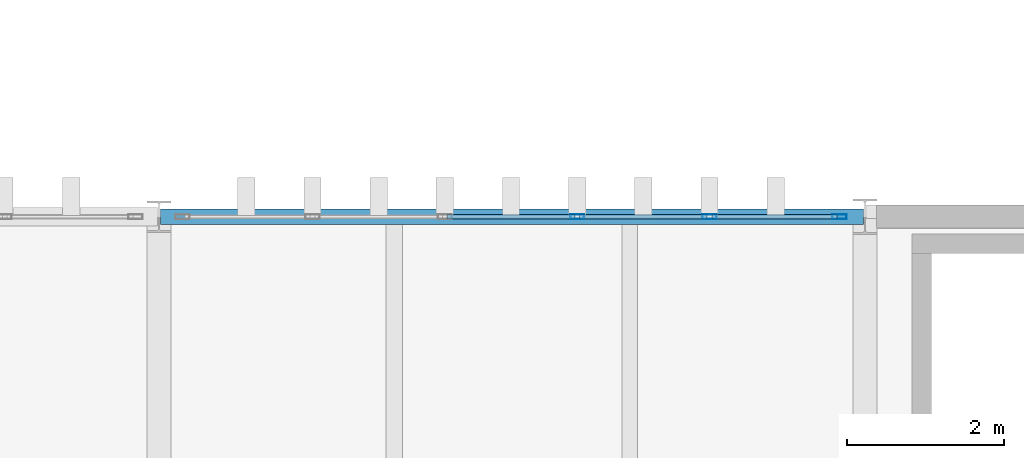
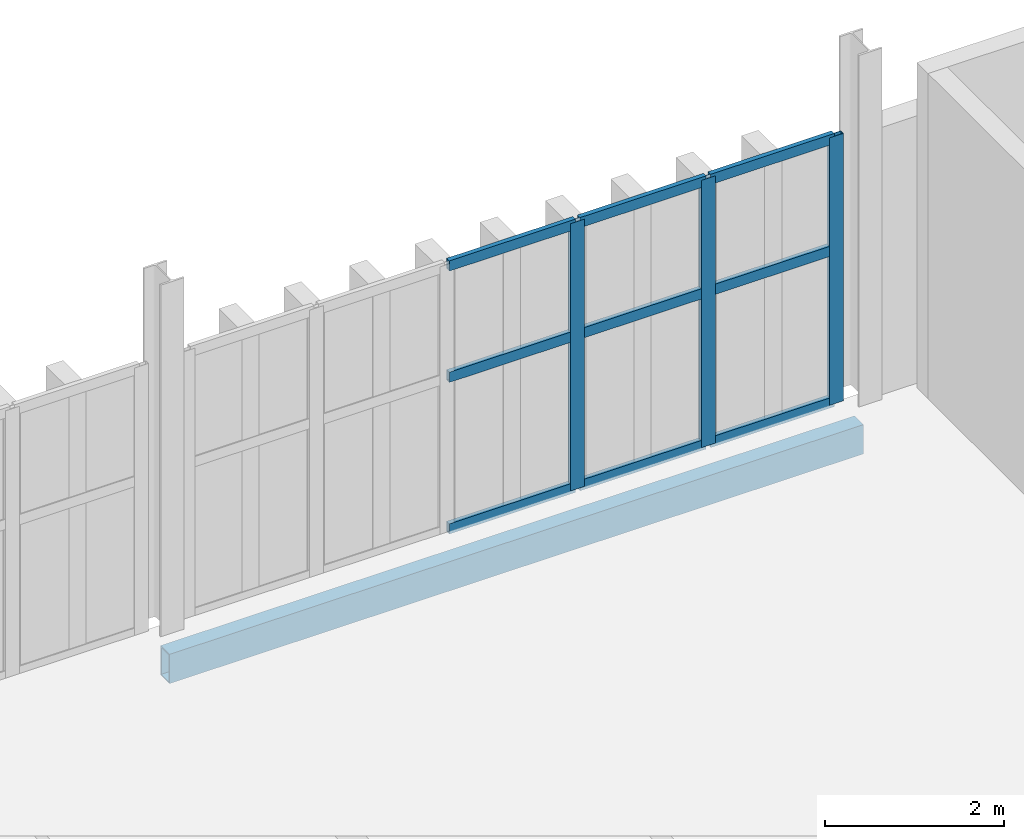
# One storey, part 150 of 196: 12 members, 1 beam, 1 element without a shape of its own.
"""IFC4 building model written with IfcOpenShell, lengths in metres."""

from ifc_helpers import new_model, si_unit, direction, frame, origin, origin_2d, place, context, subcontext, project, spatial, hollow_rectangle, extrude, material, layer, layer_set, material_profile, profile_set, type_object, element, aggregate, save


model = new_model("IFC4")

# Units and contexts
model_context = context("Model", 3, precision=1e-05, world=origin(), true_north=direction((0.0, 1.0)))
body_context = subcontext(model_context, "Body", "Model", "MODEL_VIEW")
ifc_project = project(units=[si_unit("LENGTHUNIT", "METRE"), si_unit("AREAUNIT", "SQUARE_METRE"), si_unit("VOLUMEUNIT", "CUBIC_METRE"), si_unit("PLANEANGLEUNIT", "RADIAN"), si_unit("MASSUNIT", "GRAM", prefix="KILO")], contexts=[model_context])

# Site, building, storey
site_placement = place(None, origin())
site = spatial("IfcSite", under=ifc_project, at=site_placement, CompositionType="ELEMENT")
building_placement = place(site_placement, origin())
building = spatial("IfcBuilding", under=site, at=building_placement, Name="Barlavento Convention Centre", CompositionType="ELEMENT")
storey_placement = place(building_placement, frame((0.0, 0.0, 18.0)))
storey = spatial("IfcBuildingStorey", under=building, at=storey_placement, Name="L03", CompositionType="ELEMENT", Elevation=18.0)

# Curtain wall, members
ifc_material_1 = material(Name="Powder-coated aluminium and Low-E glass", Category="aluminium")
ifc_layer = layer(ifc_material_1, 0.179931640625)
ifc_layer_set = layer_set([ifc_layer], Name="ARC-CW-CONF-L03")
curtain_wall_type = type_object("IfcCurtainWallType", Name="ARC-CW-CONF-L03", PredefinedType="NOTDEFINED", material=ifc_layer_set)
curtain_wall_placement = place(storey_placement, origin())
curtain_wall = element("IfcCurtainWall", 1, at=curtain_wall_placement, inside=storey, type_object=curtain_wall_type, Name="L03 unitised curtain wall CW08", PredefinedType="NOTDEFINED")
ifc_material_2 = material(Name="Powder-coated aluminium", Category="aluminium")
ifc_material_profile_1 = material_profile(ifc_material_2, hollow_rectangle(XDim=0.06005859375, YDim=0.179931640625, WallThickness=0.0048828125, at=origin_2d()), Name="AL-MULL 60x180x5")
ifc_profile_set_1 = profile_set([ifc_material_profile_1], Name="Powder-coated aluminium")
member_type_1 = type_object("IfcMemberType", Name="ARC-CWM-60X180", PredefinedType="MULLION", material=ifc_profile_set_1)
member_1_placement = place(storey_placement, frame((176.3310546875, 99.0, 0.0), z_axis=(0.0, 0.0, 1.0), x_axis=(0.0, 1.0, 0.0)))
member_1 = element("IfcMember", 2, at=member_1_placement, type_object=member_type_1, Name="CW08 mullion 4", PredefinedType="MULLION", context=body_context, shape_type="SweptSolid", body=[
    extrude(hollow_rectangle(XDim=0.06005859375, YDim=0.179931640625, WallThickness=0.0048828125, at=origin_2d()), origin(), (0.0, 0.0, 1.0), 3.64990234375),
])
member_2_placement = place(storey_placement, frame((178.01806640625, 99.0, 0.0), z_axis=(0.0, 0.0, 1.0), x_axis=(0.0, 1.0, 0.0)))
member_2 = element("IfcMember", 3, at=member_2_placement, type_object=member_type_1, Name="CW08 mullion 5", PredefinedType="MULLION", context=body_context, shape_type="SweptSolid", body=[
    extrude(hollow_rectangle(XDim=0.06005859375, YDim=0.179931640625, WallThickness=0.0048828125, at=origin_2d()), origin(), (0.0, 0.0, 1.0), 3.64990234375),
])
member_3_placement = place(storey_placement, frame((179.675048828125, 99.0, 0.0), z_axis=(0.0, 0.0, 1.0), x_axis=(0.0, 1.0, 0.0)))
member_3 = element("IfcMember", 4, at=member_3_placement, type_object=member_type_1, Name="CW08 mullion 6", PredefinedType="MULLION", context=body_context, shape_type="SweptSolid", body=[
    extrude(hollow_rectangle(XDim=0.06005859375, YDim=0.179931640625, WallThickness=0.0048828125, at=origin_2d()), origin(), (0.0, 0.0, 1.0), 3.64990234375),
])
ifc_material_profile_2 = material_profile(ifc_material_2, hollow_rectangle(XDim=0.06005859375, YDim=0.139892578125, WallThickness=0.00390625, at=origin_2d()), Name="AL-TRAN 60x140x4")
ifc_profile_set_2 = profile_set([ifc_material_profile_2], Name="Powder-coated aluminium")
member_type_2 = type_object("IfcMemberType", Name="ARC-CWT-60X140", PredefinedType="USERDEFINED", material=ifc_profile_set_2)
member_4_placement = place(storey_placement, frame((174.674072265625, 99.0, 0.030029296875), z_axis=(1.0, 0.0, 0.0), x_axis=(0.0, 1.0, 0.0)))
member_4 = element("IfcMember", 5, at=member_4_placement, type_object=member_type_2, Name="CW08 transom 3.1", ObjectType="TRANSOM", PredefinedType="USERDEFINED", context=body_context, shape_type="SweptSolid", body=[
    extrude(hollow_rectangle(XDim=0.06005859375, YDim=0.139892578125, WallThickness=0.00390625, at=origin_2d()), origin(), (0.0, 0.0, 1.0), 1.626953125),
])
member_5_placement = place(storey_placement, frame((174.674072265625, 99.0, 2.10009765625), z_axis=(1.0, 0.0, 0.0), x_axis=(0.0, 1.0, 0.0)))
member_5 = element("IfcMember", 6, at=member_5_placement, type_object=member_type_2, Name="CW08 transom 3.2", ObjectType="TRANSOM", PredefinedType="USERDEFINED", context=body_context, shape_type="SweptSolid", body=[
    extrude(hollow_rectangle(XDim=0.06005859375, YDim=0.139892578125, WallThickness=0.00390625, at=origin_2d()), origin(), (0.0, 0.0, 1.0), 1.626953125),
])
member_6_placement = place(storey_placement, frame((174.674072265625, 99.0, 3.6201171875), z_axis=(1.0, 0.0, 0.0), x_axis=(0.0, 1.0, 0.0)))
member_6 = element("IfcMember", 7, at=member_6_placement, type_object=member_type_2, Name="CW08 transom 3.3", ObjectType="TRANSOM", PredefinedType="USERDEFINED", context=body_context, shape_type="SweptSolid", body=[
    extrude(hollow_rectangle(XDim=0.06005859375, YDim=0.139892578125, WallThickness=0.00390625, at=origin_2d()), origin(), (0.0, 0.0, 1.0), 1.626953125),
])
member_7_placement = place(storey_placement, frame((176.361083984375, 99.0, 0.030029296875), z_axis=(1.0, 0.0, 0.0), x_axis=(0.0, 1.0, 0.0)))
member_7 = element("IfcMember", 8, at=member_7_placement, type_object=member_type_2, Name="CW08 transom 4.1", ObjectType="TRANSOM", PredefinedType="USERDEFINED", context=body_context, shape_type="SweptSolid", body=[
    extrude(hollow_rectangle(XDim=0.06005859375, YDim=0.139892578125, WallThickness=0.00390625, at=origin_2d()), origin(), (0.0, 0.0, 1.0), 1.626953125),
])
member_8_placement = place(storey_placement, frame((176.361083984375, 99.0, 2.10009765625), z_axis=(1.0, 0.0, 0.0), x_axis=(0.0, 1.0, 0.0)))
member_8 = element("IfcMember", 9, at=member_8_placement, type_object=member_type_2, Name="CW08 transom 4.2", ObjectType="TRANSOM", PredefinedType="USERDEFINED", context=body_context, shape_type="SweptSolid", body=[
    extrude(hollow_rectangle(XDim=0.06005859375, YDim=0.139892578125, WallThickness=0.00390625, at=origin_2d()), origin(), (0.0, 0.0, 1.0), 1.626953125),
])
member_9_placement = place(storey_placement, frame((176.361083984375, 99.0, 3.6201171875), z_axis=(1.0, 0.0, 0.0), x_axis=(0.0, 1.0, 0.0)))
member_9 = element("IfcMember", 10, at=member_9_placement, type_object=member_type_2, Name="CW08 transom 4.3", ObjectType="TRANSOM", PredefinedType="USERDEFINED", context=body_context, shape_type="SweptSolid", body=[
    extrude(hollow_rectangle(XDim=0.06005859375, YDim=0.139892578125, WallThickness=0.00390625, at=origin_2d()), origin(), (0.0, 0.0, 1.0), 1.626953125),
])
member_10_placement = place(storey_placement, frame((178.048095703125, 99.0, 0.030029296875), z_axis=(1.0, 0.0, 0.0), x_axis=(0.0, 1.0, 0.0)))
member_10 = element("IfcMember", 11, at=member_10_placement, type_object=member_type_2, Name="CW08 transom 5.1", ObjectType="TRANSOM", PredefinedType="USERDEFINED", context=body_context, shape_type="SweptSolid", body=[
    extrude(hollow_rectangle(XDim=0.06005859375, YDim=0.139892578125, WallThickness=0.00390625, at=origin_2d()), origin(), (0.0, 0.0, 1.0), 1.596923828125),
])
member_11_placement = place(storey_placement, frame((178.048095703125, 99.0, 2.10009765625), z_axis=(1.0, 0.0, 0.0), x_axis=(0.0, 1.0, 0.0)))
member_11 = element("IfcMember", 12, at=member_11_placement, type_object=member_type_2, Name="CW08 transom 5.2", ObjectType="TRANSOM", PredefinedType="USERDEFINED", context=body_context, shape_type="SweptSolid", body=[
    extrude(hollow_rectangle(XDim=0.06005859375, YDim=0.139892578125, WallThickness=0.00390625, at=origin_2d()), origin(), (0.0, 0.0, 1.0), 1.596923828125),
])
member_12_placement = place(storey_placement, frame((178.048095703125, 99.0, 3.6201171875), z_axis=(1.0, 0.0, 0.0), x_axis=(0.0, 1.0, 0.0)))
member_12 = element("IfcMember", 13, at=member_12_placement, type_object=member_type_2, Name="CW08 transom 5.3", ObjectType="TRANSOM", PredefinedType="USERDEFINED", context=body_context, shape_type="SweptSolid", body=[
    extrude(hollow_rectangle(XDim=0.06005859375, YDim=0.139892578125, WallThickness=0.00390625, at=origin_2d()), origin(), (0.0, 0.0, 1.0), 1.596923828125),
])
aggregate(curtain_wall, [member_1, member_2, member_3, member_4, member_5, member_6, member_7, member_8, member_9, member_10, member_11, member_12])

# Beam
ifc_material_3 = material(Name="Steel S355", Category="steel")
ifc_material_profile_3 = material_profile(ifc_material_3, hollow_rectangle(XDim=0.199951171875, YDim=0.39990234375, WallThickness=0.01611328125, at=origin_2d()), Name="RHS 400x200x16.0")
ifc_profile_set_3 = profile_set([ifc_material_profile_3], Name="Steel S355")
beam_type = type_object("IfcBeamType", Name="STR-BM-SPN-RHS400", PredefinedType="SPANDREL", material=ifc_profile_set_3)
beam_placement = place(storey_placement, frame((171.02001953125, 99.0, -0.56005859375), z_axis=(1.0, 0.0, 0.0), x_axis=(0.0, 1.0, 0.0)))
element("IfcBeam", 14, at=beam_placement, inside=storey, type_object=beam_type, Name="L03 primary girder SP06", PredefinedType="SPANDREL", context=body_context, shape_type="SweptSolid", body=[
    extrude(hollow_rectangle(XDim=0.199951171875, YDim=0.39990234375, WallThickness=0.01611328125, at=origin_2d()), origin(), (0.0, 0.0, 1.0), 8.9599609375),
])

save(model, "model.ifc")
